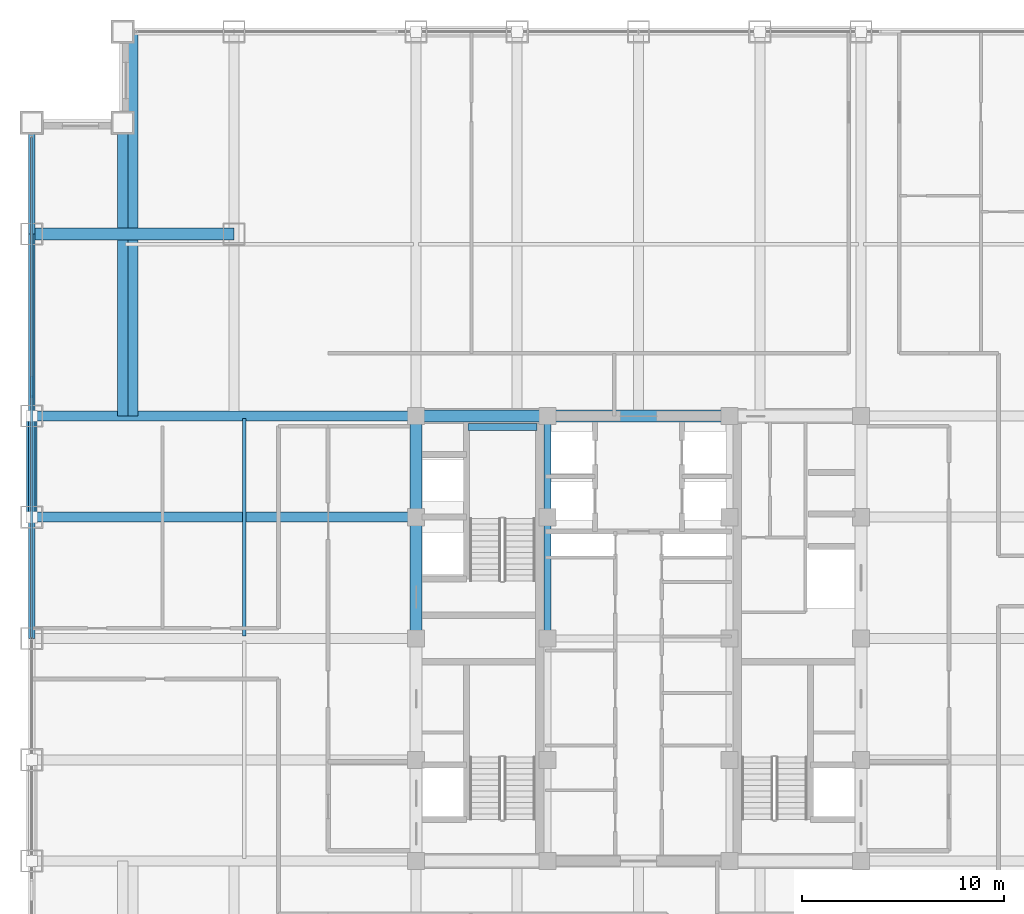
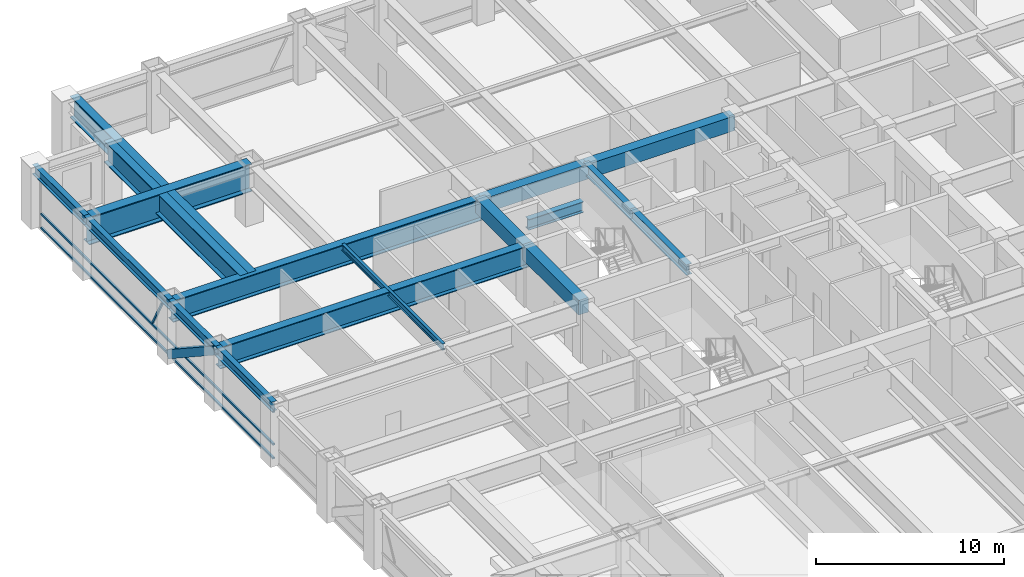
# One storey, part 11 of 26: 17 beams, 5 members, 1 element without a shape of its own.
"""IFC4 building model written with IfcOpenShell, lengths in metres."""

from ifc_helpers import new_model, si_unit, direction, frame, origin, origin_2d, place, context, subcontext, project, spatial, rectangle, hollow_rectangle, i_section, extrude, source, transform, mapped, material, material_profile, profile_set, type_object, element, aggregate, save


model = new_model("IFC4")

# Units and contexts
model_context = context("Model", 3, precision=1e-05, world=origin(), true_north=direction((0.0, 1.0)))
body_context = subcontext(model_context, "Body", "Model", "MODEL_VIEW")
ifc_project = project(units=[si_unit("LENGTHUNIT", "METRE"), si_unit("AREAUNIT", "SQUARE_METRE"), si_unit("VOLUMEUNIT", "CUBIC_METRE"), si_unit("PLANEANGLEUNIT", "RADIAN"), si_unit("MASSUNIT", "GRAM", prefix="KILO")], contexts=[model_context])

# Site, building, storey
site_placement = place(None, origin())
site = spatial("IfcSite", under=ifc_project, at=site_placement, CompositionType="ELEMENT")
building_placement = place(site_placement, origin())
building = spatial("IfcBuilding", under=site, at=building_placement, Name="Khorayat Bourse Tower", CompositionType="ELEMENT")
storey_placement = place(building_placement, frame((0.0, 0.0, 207.10009765625)))
storey = spatial("IfcBuildingStorey", under=building, at=storey_placement, Name="L48", CompositionType="ELEMENT", Elevation=207.10009765625)

# Beams
ifc_material_1 = material(Name="Steel ASTM A992 Grade 50", Category="steel")
ifc_material_profile_1 = material_profile(ifc_material_1, i_section(OverallWidth=0.35498046875, OverallDepth=0.695068359375, WebThickness=0.015380859375, FlangeThickness=0.02490234375, FilletRadius=0.01806640625, at=origin_2d()), Name="W690X217")
ifc_profile_set_1 = profile_set([ifc_material_profile_1], Name="Steel ASTM A992 Grade 50")
beam_type_1 = type_object("IfcBeamType", Name="BM-GIRD-690", PredefinedType="BEAM", material=ifc_profile_set_1)
shared_shape_1 = source(origin(), body_context, "Body", "SweptSolid", [
    extrude(i_section(OverallWidth=0.35498046875, OverallDepth=0.695068359375, WebThickness=0.015380859375, FlangeThickness=0.02490234375, FilletRadius=0.01806640625, at=origin_2d()), origin(), (0.0, 0.0, 1.0), 5.0),
])
beam_1_placement = place(storey_placement, frame((-4.5, 6.0, 3.432373046875), z_axis=(0.0, 1.0, 0.0), x_axis=(-1.0, 0.0, 0.0)))
element("IfcBeam", 1, at=beam_1_placement, inside=storey, type_object=beam_type_1, Name="L48 BM-GIRD-690 BM-L48-CRX-08", PredefinedType="BEAM", context=body_context, shape_type="MappedRepresentation", body=[
    mapped(shared_shape_1, transform((0.0, 0.0, 0.0), scale=1.0)),
])
shared_shape_2 = source(origin(), body_context, "Body", "SweptSolid", [
    extrude(i_section(OverallWidth=0.35498046875, OverallDepth=0.695068359375, WebThickness=0.015380859375, FlangeThickness=0.02490234375, FilletRadius=0.01806640625, at=origin_2d()), origin(), (0.0, 0.0, 1.0), 6.0),
])
beam_2_placement = place(storey_placement, frame((-4.5, 0.0, 3.432373046875), z_axis=(0.0, 1.0, 0.0), x_axis=(-1.0, 0.0, 0.0)))
element("IfcBeam", 2, at=beam_2_placement, inside=storey, type_object=beam_type_1, Name="L48 BM-GIRD-690 BM-L48-CRX-07", PredefinedType="BEAM", context=body_context, shape_type="MappedRepresentation", body=[
    mapped(shared_shape_2, transform((0.0, 0.0, 0.0), scale=1.0)),
])
shared_shape_3 = source(origin(), body_context, "Body", "SweptSolid", [
    extrude(i_section(OverallWidth=0.35498046875, OverallDepth=0.695068359375, WebThickness=0.015380859375, FlangeThickness=0.02490234375, FilletRadius=0.01806640625, at=origin_2d()), origin(), (0.0, 0.0, 1.0), 3.39990234375),
])
beam_3_placement = place(storey_placement, frame((-8.419921875, 10.449951171875, 1.452392578125), z_axis=(1.0, 0.0, 0.0), x_axis=(0.0, 1.0, 0.0)))
element("IfcBeam", 3, at=beam_3_placement, inside=storey, type_object=beam_type_1, Name="L48 BM-GIRD-690 BM-L48-ST2L", PredefinedType="BEAM", context=body_context, shape_type="MappedRepresentation", body=[
    mapped(shared_shape_3, transform((0.0, 0.0, 0.0), scale=1.0)),
])
ifc_material_2 = material(Name="Steel EN 10025-4 S460M", Category="steel")
ifc_material_profile_2 = material_profile(ifc_material_2, i_section(OverallWidth=0.60009765625, OverallDepth=1.800048828125, WebThickness=0.031982421875, FlangeThickness=0.06005859375, at=origin_2d()), Name="PG 1800x600x32x60")
ifc_profile_set_2 = profile_set([ifc_material_profile_2], Name="Steel EN 10025-4 S460M")
beam_type_2 = type_object("IfcBeamType", Name="BM-TR-1800", PredefinedType="BEAM", material=ifc_profile_set_2)
shared_shape_4 = source(origin(), body_context, "Body", "SweptSolid", [
    extrude(i_section(OverallWidth=0.60009765625, OverallDepth=1.800048828125, WebThickness=0.031982421875, FlangeThickness=0.06005859375, at=origin_2d()), origin(), (0.0, 0.0, 1.0), 10.0),
])
beam_4_placement = place(storey_placement, frame((-30.0, 20.0, 2.8798828125), z_axis=(1.0, 0.0, 0.0), x_axis=(0.0, 1.0, 0.0)))
element("IfcBeam", 4, at=beam_4_placement, inside=storey, type_object=beam_type_2, Name="L48 BM-TR-1800 BM-L48-CNRX-099", PredefinedType="BEAM", context=body_context, shape_type="MappedRepresentation", body=[
    mapped(shared_shape_4, transform((0.0, 0.0, 0.0), scale=1.0)),
])
ifc_material_profile_3 = material_profile(ifc_material_1, i_section(OverallWidth=0.180908203125, OverallDepth=0.4169921875, WebThickness=0.010986328125, FlangeThickness=0.018310546875, FilletRadius=0.011962890625, at=origin_2d()), Name="W410X85")
ifc_profile_set_3 = profile_set([ifc_material_profile_3], Name="Steel ASTM A992 Grade 50")
beam_type_3 = type_object("IfcBeamType", Name="BM-JOIST-410", PredefinedType="JOIST", material=ifc_profile_set_3)
shared_shape_5 = source(origin(), body_context, "Body", "SweptSolid", [
    extrude(i_section(OverallWidth=0.180908203125, OverallDepth=0.4169921875, WebThickness=0.010986328125, FlangeThickness=0.018310546875, FilletRadius=0.011962890625, at=origin_2d()), origin(), (0.0, 0.0, 1.0), 10.740234375),
])
beam_5_placement = place(storey_placement, frame((-19.5, 0.1298828125, 3.5712890625), z_axis=(0.0, 1.0, 0.0), x_axis=(-1.0, 0.0, 0.0)))
element("IfcBeam", 5, at=beam_5_placement, inside=storey, type_object=beam_type_3, Name="L48 BM-JOIST-410 BM-L48-JSTY-111", PredefinedType="JOIST", context=body_context, shape_type="MappedRepresentation", body=[
    mapped(shared_shape_5, transform((0.0, 0.0, 0.0), scale=1.0)),
])
ifc_material_profile_4 = material_profile(ifc_material_1, i_section(OverallWidth=0.324951171875, OverallDepth=0.615966796875, WebThickness=0.013916015625, FlangeThickness=0.021484375, FilletRadius=0.01611328125, at=origin_2d()), Name="W610X174")
ifc_profile_set_4 = profile_set([ifc_material_profile_4], Name="Steel ASTM A992 Grade 50")
beam_type_4 = type_object("IfcBeamType", Name="BM-SPAN-610", PredefinedType="SPANDREL", material=ifc_profile_set_4)
shared_shape_6 = source(origin(), body_context, "Body", "SweptSolid", [
    extrude(i_section(OverallWidth=0.324951171875, OverallDepth=0.615966796875, WebThickness=0.013916015625, FlangeThickness=0.021484375, FilletRadius=0.01611328125, at=origin_2d()), origin(), (0.0, 0.0, 1.0), 5.5),
])
beam_6_placement = place(storey_placement, frame((-30.0, 20.0, 3.471923828125), z_axis=(0.0, 1.0, 0.0), x_axis=(-1.0, 0.0, 0.0)))
element("IfcBeam", 6, at=beam_6_placement, inside=storey, type_object=beam_type_4, Name="L48 BM-SPAN-610 BM-L48-SPN-054", PredefinedType="SPANDREL", context=body_context, shape_type="MappedRepresentation", body=[
    mapped(shared_shape_6, transform((0.0, 0.0, 0.0), scale=1.0)),
])
shared_shape_7 = source(origin(), body_context, "Body", "SweptSolid", [
    extrude(i_section(OverallWidth=0.324951171875, OverallDepth=0.615966796875, WebThickness=0.013916015625, FlangeThickness=0.021484375, FilletRadius=0.01611328125, at=origin_2d()), origin(), (0.0, 0.0, 1.0), 9.0),
])
beam_7_placement = place(storey_placement, frame((-30.0, 11.0, 3.471923828125), z_axis=(0.0, 1.0, 0.0), x_axis=(-1.0, 0.0, 0.0)))
element("IfcBeam", 7, at=beam_7_placement, inside=storey, type_object=beam_type_4, Name="L48 BM-SPAN-610 BM-L48-SPN-055", PredefinedType="SPANDREL", context=body_context, shape_type="MappedRepresentation", body=[
    mapped(shared_shape_7, transform((0.0, 0.0, 0.0), scale=1.0)),
])
shared_shape_8 = source(origin(), body_context, "Body", "SweptSolid", [
    extrude(i_section(OverallWidth=0.324951171875, OverallDepth=0.615966796875, WebThickness=0.013916015625, FlangeThickness=0.021484375, FilletRadius=0.01611328125, at=origin_2d()), origin(), (0.0, 0.0, 1.0), 5.0),
])
beam_8_placement = place(storey_placement, frame((-30.0, 6.0, 3.471923828125), z_axis=(0.0, 1.0, 0.0), x_axis=(-1.0, 0.0, 0.0)))
element("IfcBeam", 8, at=beam_8_placement, inside=storey, type_object=beam_type_4, Name="L48 BM-SPAN-610 BM-L48-SPN-056", PredefinedType="SPANDREL", context=body_context, shape_type="MappedRepresentation", body=[
    mapped(shared_shape_8, transform((0.0, 0.0, 0.0), scale=1.0)),
])
shared_shape_9 = source(origin(), body_context, "Body", "SweptSolid", [
    extrude(i_section(OverallWidth=0.324951171875, OverallDepth=0.615966796875, WebThickness=0.013916015625, FlangeThickness=0.021484375, FilletRadius=0.01611328125, at=origin_2d()), origin(), (0.0, 0.0, 1.0), 6.0),
])
beam_9_placement = place(storey_placement, frame((-30.0, 0.0, 3.471923828125), z_axis=(0.0, 1.0, 0.0), x_axis=(-1.0, 0.0, 0.0)))
element("IfcBeam", 9, at=beam_9_placement, inside=storey, type_object=beam_type_4, Name="L48 BM-SPAN-610 BM-L48-SPN-057", PredefinedType="SPANDREL", context=body_context, shape_type="MappedRepresentation", body=[
    mapped(shared_shape_9, transform((0.0, 0.0, 0.0), scale=1.0)),
])

# Member
ifc_material_profile_5 = material_profile(ifc_material_2, hollow_rectangle(XDim=0.5, YDim=0.5, WallThickness=0.028076171875, at=origin_2d()), Name="HSS 500x500x28")
ifc_profile_set_5 = profile_set([ifc_material_profile_5], Name="Steel EN 10025-4 S460M")
member_type_1 = type_object("IfcMemberType", Name="MBR-TUBE-500", PredefinedType="BRACE", material=ifc_profile_set_5)
shared_shape_10 = source(origin(), body_context, "Body", "SweptSolid", [
    extrude(hollow_rectangle(XDim=0.5, YDim=0.5, WallThickness=0.028076171875, at=origin_2d()), origin(), (0.0, 0.0, 1.0), 5.979736328125),
])
member_1_placement = place(storey_placement, frame((-30.0, 6.0, 3.52978515625), z_axis=(0.0, 0.836160261256, -0.548485202623), x_axis=(-1.0, 0.0, 0.0)))
element("IfcMember", 10, at=member_1_placement, inside=storey, type_object=member_type_1, Name="L48 Perimeter Tube Brace 06", PredefinedType="BRACE", context=body_context, shape_type="MappedRepresentation", body=[
    mapped(shared_shape_10, transform((0.0, 0.0, 0.0), scale=1.0)),
])

# Beams
ifc_material_3 = material(Name="Concrete C60/75", Category="concrete")
ifc_material_profile_6 = material_profile(ifc_material_3, rectangle(XDim=0.60009765625, YDim=0.949951171875, at=origin_2d()), Name="RC 600x950")
ifc_profile_set_6 = profile_set([ifc_material_profile_6], Name="Concrete C60/75")
beam_type_5 = type_object("IfcBeamType", Name="BM-COUP-950", PredefinedType="BEAM", material=ifc_profile_set_6)
shared_shape_11 = source(origin(), body_context, "Body", "SweptSolid", [
    extrude(rectangle(XDim=0.60009765625, YDim=0.949951171875, at=origin_2d()), origin(), (0.0, 0.0, 1.0), 5.0),
])
beam_10_placement = place(storey_placement, frame((-11.0, 6.0, 3.304931640625), z_axis=(0.0, 1.0, 0.0), x_axis=(-1.0, 0.0, 0.0)))
element("IfcBeam", 11, at=beam_10_placement, inside=storey, type_object=beam_type_5, Name="L48 BM-COUP-950 BM-L48-CRX-04", PredefinedType="BEAM", context=body_context, shape_type="MappedRepresentation", body=[
    mapped(shared_shape_11, transform((0.0, 0.0, 0.0), scale=1.0)),
])
shared_shape_12 = source(origin(), body_context, "Body", "SweptSolid", [
    extrude(rectangle(XDim=0.60009765625, YDim=0.949951171875, at=origin_2d()), origin(), (0.0, 0.0, 1.0), 6.0),
])
beam_11_placement = place(storey_placement, frame((-11.0, 0.0, 3.304931640625), z_axis=(0.0, 1.0, 0.0), x_axis=(-1.0, 0.0, 0.0)))
element("IfcBeam", 12, at=beam_11_placement, inside=storey, type_object=beam_type_5, Name="L48 BM-COUP-950 BM-L48-CRX-03", PredefinedType="BEAM", context=body_context, shape_type="MappedRepresentation", body=[
    mapped(shared_shape_12, transform((0.0, 0.0, 0.0), scale=1.0)),
])
shared_shape_13 = source(origin(), body_context, "Body", "SweptSolid", [
    extrude(rectangle(XDim=0.60009765625, YDim=0.949951171875, at=origin_2d()), origin(), (0.0, 0.0, 1.0), 6.5),
])
beam_12_placement = place(storey_placement, frame((-11.0, 11.0, 3.304931640625), z_axis=(1.0, 0.0, 0.0), x_axis=(0.0, 1.0, 0.0)))
element("IfcBeam", 13, at=beam_12_placement, inside=storey, type_object=beam_type_5, Name="L48 BM-COUP-950 BM-L48-CRY-20", PredefinedType="BEAM", context=body_context, shape_type="MappedRepresentation", body=[
    mapped(shared_shape_13, transform((0.0, 0.0, 0.0), scale=1.0)),
])
shared_shape_14 = source(origin(), body_context, "Body", "SweptSolid", [
    extrude(rectangle(XDim=0.60009765625, YDim=0.949951171875, at=origin_2d()), origin(), (0.0, 0.0, 1.0), 9.0),
])
beam_13_placement = place(storey_placement, frame((-4.5, 11.0, 3.304931640625), z_axis=(1.0, 0.0, 0.0), x_axis=(0.0, 1.0, 0.0)))
element("IfcBeam", 14, at=beam_13_placement, inside=storey, type_object=beam_type_5, Name="L48 BM-COUP-950 BM-L48-CRY-21", PredefinedType="BEAM", context=body_context, shape_type="MappedRepresentation", body=[
    mapped(shared_shape_14, transform((0.0, 0.0, 0.0), scale=1.0)),
])
ifc_material_profile_7 = material_profile(ifc_material_2, i_section(OverallWidth=0.5, OverallDepth=1.39990234375, WebThickness=0.02490234375, FlangeThickness=0.050048828125, at=origin_2d()), Name="PG 1400x500x25x50")
ifc_profile_set_7 = profile_set([ifc_material_profile_7], Name="Steel EN 10025-4 S460M")
beam_type_6 = type_object("IfcBeamType", Name="BM-TR-1400", PredefinedType="BEAM", material=ifc_profile_set_7)
shared_shape_15 = source(origin(), body_context, "Body", "SweptSolid", [
    extrude(i_section(OverallWidth=0.5, OverallDepth=1.39990234375, WebThickness=0.02490234375, FlangeThickness=0.050048828125, at=origin_2d()), origin(), (0.0, 0.0, 1.0), 19.0),
])
for number, where, z_axis, x_axis, name in (
    (15, (-30.0, 6.0, 3.079833984375), (1.0, 0.0, 0.0), (0.0, 1.0, 0.0), "L48 BM-TR-1400 BM-L48-RADX-081"),
    (16, (-30.0, 11.0, 3.079833984375), (1.0, 0.0, 0.0), (0.0, 1.0, 0.0), "L48 BM-TR-1400 BM-L48-RADX-083"),
    (17, (-25.0, 11.0, 3.079833984375), (0.0, 1.0, 0.0), (-1.0, 0.0, 0.0), "L48 BM-TR-1400 BM-L48-CNRY-089"),
):
    element("IfcBeam", number, at=place(storey_placement, frame(where, z_axis=z_axis, x_axis=x_axis)), inside=storey, type_object=beam_type_6, Name=name, PredefinedType="BEAM", context=body_context, shape_type="MappedRepresentation", body=[
        mapped(shared_shape_15, transform((0.0, 0.0, 0.0), scale=1.0)),
    ])
shared_shape_16 = source(origin(), body_context, "Body", "SweptSolid", [
    extrude(i_section(OverallWidth=0.5, OverallDepth=1.39990234375, WebThickness=0.02490234375, FlangeThickness=0.050048828125, at=origin_2d()), origin(), (0.0, 0.0, 1.0), 14.5),
])
beam_14_placement = place(storey_placement, frame((-25.5, 11.0, 3.079833984375), z_axis=(0.0, 1.0, 0.0), x_axis=(-1.0, 0.0, 0.0)))
element("IfcBeam", 18, at=beam_14_placement, inside=storey, type_object=beam_type_6, Name="L48 BM-TR-1400 BM-L48-CNRY-093", PredefinedType="BEAM", context=body_context, shape_type="MappedRepresentation", body=[
    mapped(shared_shape_16, transform((0.0, 0.0, 0.0), scale=1.0)),
])

# Curtain wall, members
ifc_material_4 = material(Name="Aluminium EN AW-6063 T6", Category="aluminium")
curtain_wall_type = type_object("IfcCurtainWallType", Name="CW-SYS-03", PredefinedType="NOTDEFINED", material=ifc_material_4)
curtain_wall_placement = place(storey_placement, origin())
curtain_wall = element("IfcCurtainWall", 19, at=curtain_wall_placement, inside=storey, type_object=curtain_wall_type, Name="L48 Curtain Wall CW-L48-W1", PredefinedType="NOTDEFINED")
ifc_material_profile_8 = material_profile(ifc_material_4, hollow_rectangle(XDim=0.1201171875, YDim=0.1201171875, WallThickness=0.0048828125, at=origin_2d()), Name="ALU 120x120x5")
ifc_profile_set_8 = profile_set([ifc_material_profile_8], Name="Aluminium EN AW-6063 T6")
member_type_2 = type_object("IfcMemberType", Name="CWM-DIAG-120", PredefinedType="MULLION", material=ifc_profile_set_8)
shared_shape_17 = source(origin(), body_context, "Body", "SweptSolid", [
    extrude(hollow_rectangle(XDim=0.1201171875, YDim=0.1201171875, WallThickness=0.0048828125, at=origin_2d()), origin(), (0.0, 0.0, 1.0), 2.079345703125),
])
member_2_placement = place(storey_placement, frame((-30.0, 12.904296875, 1.08984375), z_axis=(0.0, -0.465760949701, 0.884910581773), x_axis=(1.0, 0.0, 0.0)))
member_2 = element("IfcMember", 20, at=member_2_placement, type_object=member_type_2, Name="CW-L48-W1 Faceted Diagonal Mullion 2", PredefinedType="MULLION", context=body_context, shape_type="MappedRepresentation", body=[
    mapped(shared_shape_17, transform((0.0, 0.0, 0.0), scale=1.0)),
])
ifc_material_profile_9 = material_profile(ifc_material_4, hollow_rectangle(XDim=0.1201171875, YDim=0.1201171875, WallThickness=0.0048828125, at=origin_2d()), Name="ALU 120x120x5")
ifc_profile_set_9 = profile_set([ifc_material_profile_9], Name="Aluminium EN AW-6063 T6")
member_type_3 = type_object("IfcMemberType", Name="CWT-HORZ-120", PredefinedType="USERDEFINED", material=ifc_profile_set_9)
shared_shape_18 = source(origin(), body_context, "Body", "SweptSolid", [
    extrude(hollow_rectangle(XDim=0.1201171875, YDim=0.1201171875, WallThickness=0.0048828125, at=origin_2d()), origin(), (0.0, 0.0, 1.0), 24.719970703125),
])
member_3_placement = place(storey_placement, frame((-30.0, 0.06005859375, 0.059814453125), z_axis=(0.0, 1.0, 0.0), x_axis=(-1.0, 0.0, 0.0)))
member_3 = element("IfcMember", 21, at=member_3_placement, type_object=member_type_3, Name="CW-L48-W1 Horizontal Transom 2-1", ObjectType="TRANSOM", PredefinedType="USERDEFINED", context=body_context, shape_type="MappedRepresentation", body=[
    mapped(shared_shape_18, transform((0.0, 0.0, 0.0), scale=1.0)),
])
member_4_placement = place(storey_placement, frame((-30.0, 0.06005859375, 0.949951171875), z_axis=(0.0, 1.0, 0.0), x_axis=(-1.0, 0.0, 0.0)))
member_4 = element("IfcMember", 22, at=member_4_placement, type_object=member_type_3, Name="CW-L48-W1 Horizontal Transom 2-2", ObjectType="TRANSOM", PredefinedType="USERDEFINED", context=body_context, shape_type="MappedRepresentation", body=[
    mapped(shared_shape_18, transform((0.0, 0.0, 0.0), scale=1.0)),
])
member_5_placement = place(storey_placement, frame((-30.0, 0.06005859375, 3.06982421875), z_axis=(0.0, 1.0, 0.0), x_axis=(-1.0, 0.0, 0.0)))
member_5 = element("IfcMember", 23, at=member_5_placement, type_object=member_type_3, Name="CW-L48-W1 Horizontal Transom 2-3", ObjectType="TRANSOM", PredefinedType="USERDEFINED", context=body_context, shape_type="MappedRepresentation", body=[
    mapped(shared_shape_18, transform((0.0, 0.0, 0.0), scale=1.0)),
])
aggregate(curtain_wall, [member_3, member_4, member_5, member_2])

save(model, "model.ifc")
